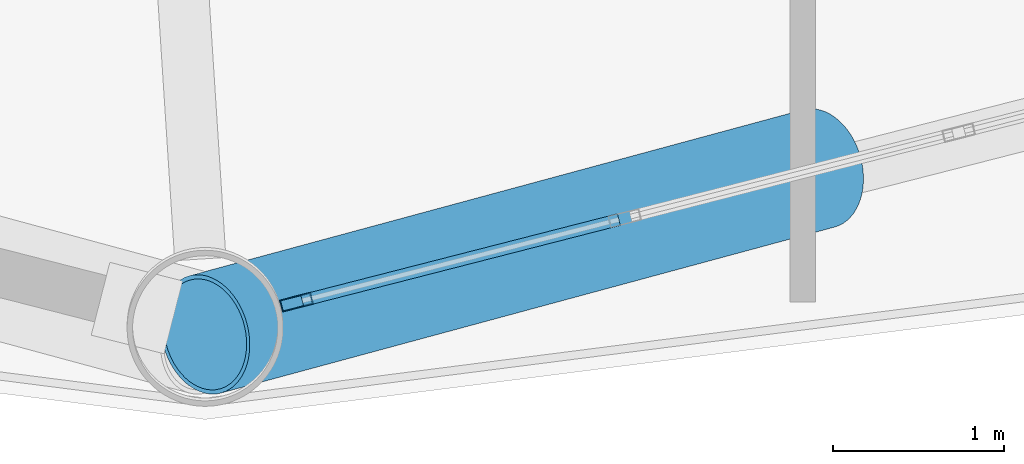
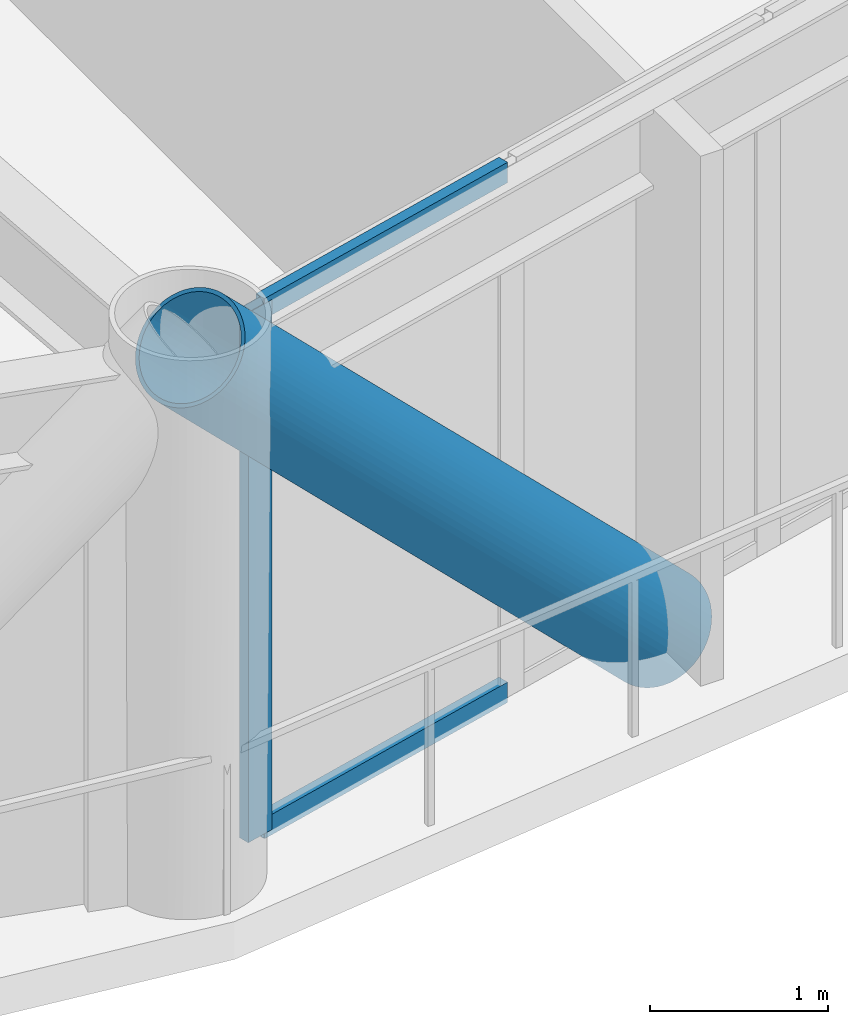
# One storey, part 5 of 25: 4 members, 1 element without a shape of its own.
"""IFC4 building model written with IfcOpenShell, lengths in metres."""

from ifc_helpers import new_model, si_unit, direction, frame, origin, origin_2d, place, context, subcontext, project, spatial, hollow_rectangle, hollow_circle, extrude, material, layer, layer_set, material_profile, profile_set, type_object, element, aggregate, save


model = new_model("IFC4")

# Units and contexts
model_context = context("Model", 3, precision=1e-05, world=origin(), true_north=direction((0.0, 1.0)))
body_context = subcontext(model_context, "Body", "Model", "MODEL_VIEW")
ifc_project = project(units=[si_unit("LENGTHUNIT", "METRE"), si_unit("AREAUNIT", "SQUARE_METRE"), si_unit("VOLUMEUNIT", "CUBIC_METRE"), si_unit("PLANEANGLEUNIT", "RADIAN"), si_unit("MASSUNIT", "GRAM", prefix="KILO")], contexts=[model_context])

# Site, building, storey
site_placement = place(None, origin())
site = spatial("IfcSite", under=ifc_project, at=site_placement, CompositionType="ELEMENT")
building_placement = place(site_placement, origin())
building = spatial("IfcBuilding", under=site, at=building_placement, Name="Varnakorn Sky Granary", CompositionType="ELEMENT")
storey_placement = place(building_placement, frame((0.0, 0.0, 70.5)))
storey = spatial("IfcBuildingStorey", under=building, at=storey_placement, Name="L17", CompositionType="ELEMENT", Elevation=70.5)

# Curtain wall, members
ifc_material_1 = material(Name="Anodised Bronze Aluminium Alloy 6063-T6", Category="aluminium")
ifc_layer = layer(ifc_material_1, 0.18994140625, Name="Anodised Bronze Aluminium Alloy 6063-T6")
ifc_layer_set = layer_set([ifc_layer], Name="Anodised Bronze Aluminium Alloy 6063-T6")
curtain_wall_type = type_object("IfcCurtainWallType", Name="CW-FRM-1", PredefinedType="USERDEFINED", material=ifc_layer_set)
curtain_wall_placement = place(storey_placement, origin())
curtain_wall = element("IfcCurtainWall", 1, at=curtain_wall_placement, inside=storey, type_object=curtain_wall_type, Name="Unitised Curtain Wall CW3 CW-L17-B10", ObjectType="CURTAIN WALL", PredefinedType="USERDEFINED")
ifc_material_profile_1 = material_profile(ifc_material_1, hollow_rectangle(XDim=0.070068359375, YDim=0.18505859375, WallThickness=0.00390625, at=origin_2d()), Name="ALU MULL 70x185")
ifc_profile_set_1 = profile_set([ifc_material_profile_1], Name="Anodised Bronze Aluminium Alloy 6063-T6")
member_type_1 = type_object("IfcMemberType", Name="CW-FRM-1-MULL", PredefinedType="MULLION", material=ifc_profile_set_1)
member_1_placement = place(storey_placement, frame((-0.96533203125, -19.592041015625, 0.0), z_axis=(0.0, 0.0, 1.0), x_axis=(0.248054256389, -0.968746141095, 0.0)))
member_1 = element("IfcMember", 2, at=member_1_placement, type_object=member_type_1, Name="CW3 mullion 6", PredefinedType="MULLION", context=body_context, shape_type="SweptSolid", body=[
    extrude(hollow_rectangle(XDim=0.070068359375, YDim=0.18505859375, WallThickness=0.00390625, at=origin_2d()), origin(), (0.0, 0.0, 1.0), 3.639892578125),
])
ifc_material_profile_2 = material_profile(ifc_material_1, hollow_rectangle(XDim=0.070068359375, YDim=0.139892578125, WallThickness=0.00341796875, at=origin_2d()), Name="ALU TRAN 70x140")
ifc_profile_set_2 = profile_set([ifc_material_profile_2], Name="Anodised Bronze Aluminium Alloy 6063-T6")
member_type_2 = type_object("IfcMemberType", Name="CW-FRM-1-TRAN", PredefinedType="USERDEFINED", material=ifc_profile_set_2)
member_2_placement = place(storey_placement, frame((0.92236328125, -19.108642578125, 0.034912109375), z_axis=(-0.968722867549, -0.248145130697, 0.0), x_axis=(0.248145130697, -0.968722867549, 0.0)))
member_2 = element("IfcMember", 3, at=member_2_placement, type_object=member_type_2, Name="CW3 transom 5.1", ObjectType="TRANSOM", PredefinedType="USERDEFINED", context=body_context, shape_type="SweptSolid", body=[
    extrude(hollow_rectangle(XDim=0.070068359375, YDim=0.139892578125, WallThickness=0.00341796875, at=origin_2d()), origin(), (0.0, 0.0, 1.0), 1.91357421875),
])
member_3_placement = place(storey_placement, frame((0.92236328125, -19.108642578125, 3.60498046875), z_axis=(-0.968722867549, -0.248145130697, 0.0), x_axis=(0.248145130697, -0.968722867549, 0.0)))
member_3 = element("IfcMember", 4, at=member_3_placement, type_object=member_type_2, Name="CW3 transom 5.2", ObjectType="TRANSOM", PredefinedType="USERDEFINED", context=body_context, shape_type="SweptSolid", body=[
    extrude(hollow_rectangle(XDim=0.070068359375, YDim=0.139892578125, WallThickness=0.00341796875, at=origin_2d()), origin(), (0.0, 0.0, 1.0), 1.91357421875),
])
aggregate(curtain_wall, [member_1, member_2, member_3])

# Member
ifc_material_2 = material(Name="Steel S460M", Category="steel")
ifc_material_profile_3 = material_profile(ifc_material_2, hollow_circle(Radius=0.35546875, WallThickness=0.02490234375, at=origin_2d()), Name="CHS 711x25")
ifc_profile_set_3 = profile_set([ifc_material_profile_3], Name="Steel S460M")
member_type_3 = type_object("IfcMemberType", Name="MB-DIAG-T0", PredefinedType="BRACE", material=ifc_profile_set_3)
member_4_placement = place(storey_placement, frame((2.09326171875, -18.80908203125, -0.1298828125), z_axis=(-0.678247143993, -0.183455760309, 0.71156503264), x_axis=(0.261102298752, -0.965311136156, 0.0)))
element("IfcMember", 5, at=member_4_placement, inside=storey, type_object=member_type_3, Name="Perimeter CHS Diagrid Brace DG10 L17", PredefinedType="BRACE", context=body_context, shape_type="SweptSolid", body=[
    extrude(hollow_circle(Radius=0.35546875, WallThickness=0.02490234375, at=origin_2d()), origin(), (0.0, 0.0, 1.0), 5.2978515625),
])

save(model, "model.ifc")
